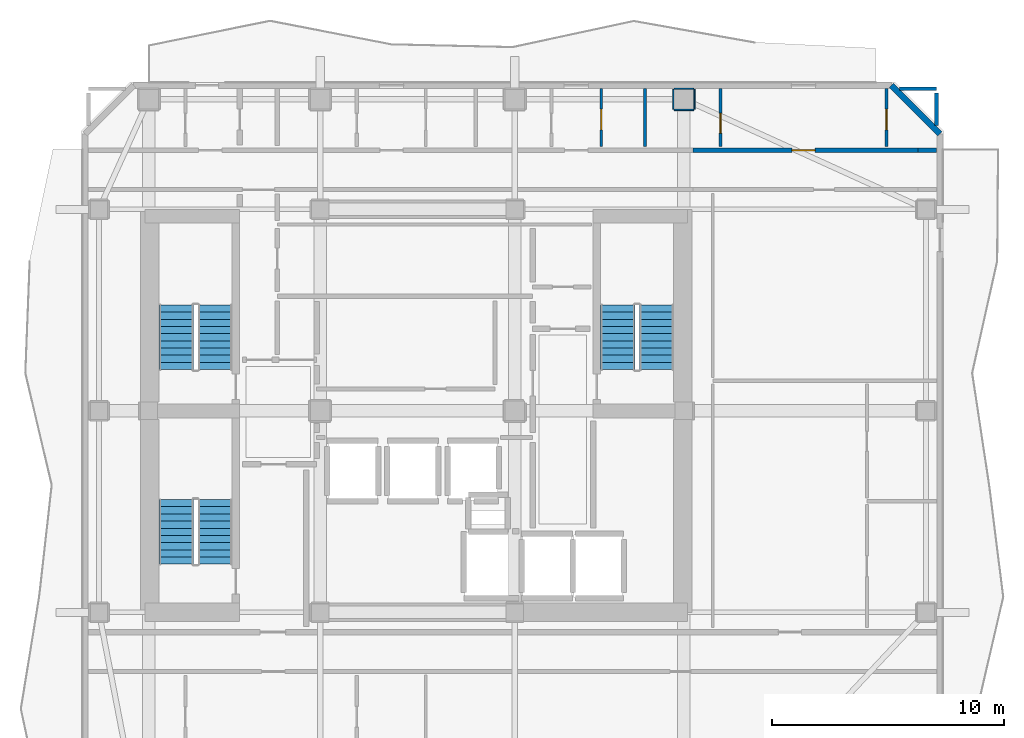
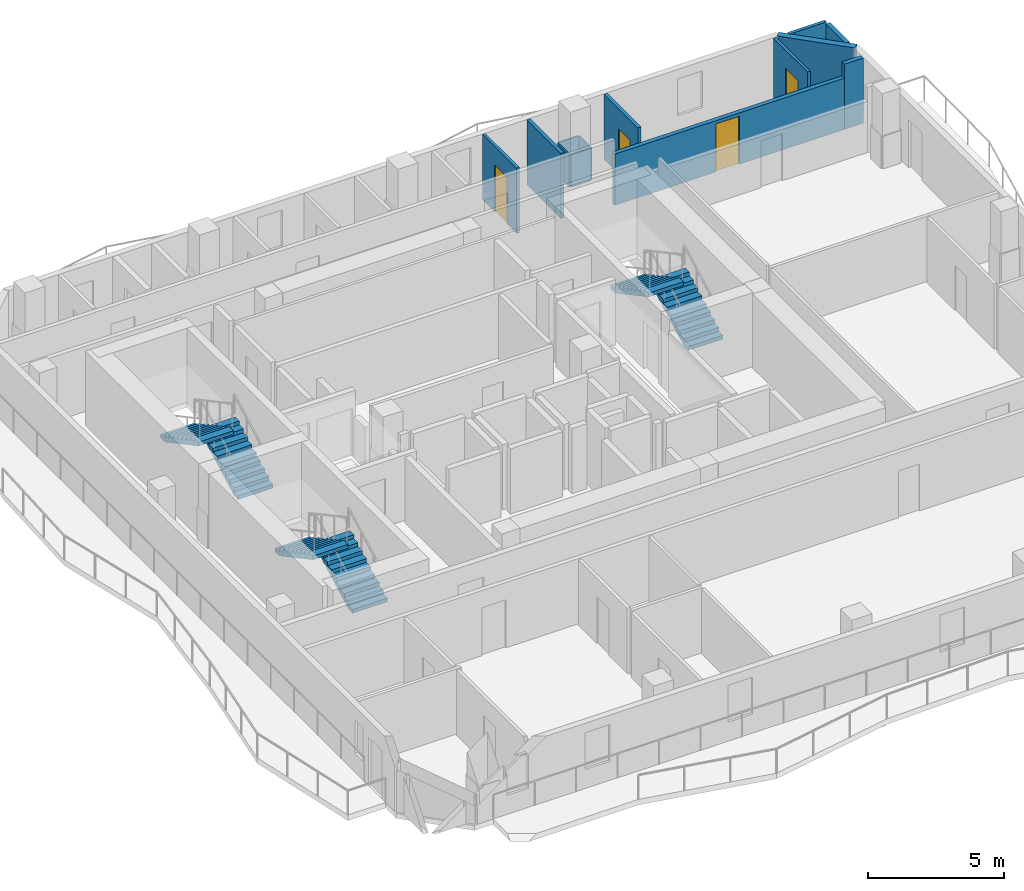
# One storey, part 6 of 9: 13 walls, 6 stair flights, 4 doors, 4 openings, 3 elements without a shape of their own.
"""IFC4 building model written with IfcOpenShell, lengths in metres."""

from ifc_helpers import new_model, si_unit, direction, frame, frame_2d, origin, place, context, subcontext, project, spatial, polyline, rectangle, outline, extrude, material, layer, layer_set, type_object, element, fill, aggregate, save


model = new_model("IFC4")

# Units and contexts
model_context = context("Model", 3, precision=1e-05, world=origin(), true_north=direction((0.0, 1.0)))
body_context = subcontext(model_context, "Body", "Model", "MODEL_VIEW")
ifc_project = project(units=[si_unit("LENGTHUNIT", "METRE"), si_unit("AREAUNIT", "SQUARE_METRE"), si_unit("VOLUMEUNIT", "CUBIC_METRE"), si_unit("PLANEANGLEUNIT", "RADIAN"), si_unit("MASSUNIT", "GRAM", prefix="KILO")], contexts=[model_context])

# Site, building, storey
site_placement = place(None, origin())
site = spatial("IfcSite", under=ifc_project, at=site_placement, CompositionType="ELEMENT")
building_placement = place(site_placement, origin())
building = spatial("IfcBuilding", under=site, at=building_placement, Name="Solanera Arch Residences", CompositionType="ELEMENT")
storey_placement = place(building_placement, frame((0.0, 0.0, 223.360107421875)))
storey = spatial("IfcBuildingStorey", under=building, at=storey_placement, Name="L65", CompositionType="ELEMENT", Elevation=223.360107421875)

# Walls
ifc_material_1 = material(Name="Fire-Rated Gypsum Stud Partition", Category="gypsum")
ifc_layer_1 = layer(ifc_material_1, 0.06005859375)
ifc_layer_set_1 = layer_set([ifc_layer_1], Name="Fire-Rated Gypsum Stud Partition")
wall_type_1 = type_object("IfcWallType", Name="Column Acoustic Furring Wall 60", PredefinedType="PARTITIONING", material=ifc_layer_set_1)
for number, where, z_axis, x_axis, name in (
    (1, (36.074951171875, 43.693115234375, 0.0), (0.0, 0.0, 1.0), (1.0, 0.0, 0.0), "L65 Column Furring 16S"),
    (2, (36.074951171875, 44.60693359375, 0.0), (0.0, 0.0, 1.0), (1.0, 0.0, 0.0), "L65 Column Furring 16N"),
):
    element("IfcWall", number, at=place(storey_placement, frame(where, z_axis=z_axis, x_axis=x_axis)), inside=storey, type_object=wall_type_1, Name=name, PredefinedType="PARTITIONING", context=body_context, shape_type="SweptSolid", body=[
        extrude(rectangle(XDim=0.85009765625, YDim=0.06005859375, at=frame_2d((0.425048828125, 0.0))), origin(), (0.0, 0.0, 1.0), 1.449951171875),
    ])
for number, where, z_axis, x_axis, name in (
    (3, (36.04296875, 43.72509765625, 0.0), (0.0, 0.0, 1.0), (0.0, 1.0, 0.0), "L65 Column Furring 16W"),
    (4, (36.95703125, 43.72509765625, 0.0), (0.0, 0.0, 1.0), (0.0, 1.0, 0.0), "L65 Column Furring 16E"),
):
    element("IfcWall", number, at=place(storey_placement, frame(where, z_axis=z_axis, x_axis=x_axis)), inside=storey, type_object=wall_type_1, Name=name, PredefinedType="PARTITIONING", context=body_context, shape_type="SweptSolid", body=[
        extrude(rectangle(XDim=0.849853515625, YDim=0.06005859375, at=frame_2d((0.4248046875, 0.0))), origin(), (0.0, 0.0, 1.0), 1.449951171875),
    ])

# Wall, opening, door
ifc_material_2 = material(Name="Autoclaved Aerated Concrete Blockwork", Category="masonry")
ifc_layer_2 = layer(ifc_material_2, 0.179931640625)
ifc_layer_set_2 = layer_set([ifc_layer_2], Name="Autoclaved Aerated Concrete Blockwork")
wall_type_2 = type_object("IfcWallType", Name="Corridor Fire Partition 180", PredefinedType="PARTITIONING", material=ifc_layer_set_2)
wall_1_placement = place(storey_placement, frame((36.888916015625, 41.949951171875, 0.0), z_axis=(0.0, 0.0, 1.0), x_axis=(1.0, 0.0, 0.0)))
wall_1 = element("IfcWall", 5, at=wall_1_placement, inside=storey, type_object=wall_type_2, Name="L65 Interior Partition H12 2", PredefinedType="PARTITIONING", context=body_context, shape_type="SweptSolid", body=[
    extrude(rectangle(XDim=9.72216796875, YDim=0.179931640625, at=frame_2d((4.861083984375, 0.0))), origin(), (0.0, 0.0, 1.0), 2.296875),
])
opening_1_placement = place(wall_1_placement, frame((4.27587890625, 0.0, 0.0)))
opening_1 = element("IfcOpeningElement", 6, at=opening_1_placement, cuts=wall_1, Name="Opening DI-01", PredefinedType="OPENING", context=body_context, shape_type="SweptSolid", body=[
    extrude(rectangle(XDim=1.0, YDim=2.14990234375, at=frame_2d((0.5, 1.074951171875))), frame((0.0, 0.10009765625, 0.0), z_axis=(0.0, -1.0, 0.0), x_axis=(1.0, 0.0, 0.0)), (0.0, 0.0, 1.0), 0.1999),
])
ifc_material_3 = material(Name="Fire-Rated Architectural Hardwood", Category="wood")
door_type_1 = type_object("IfcDoorType", Name="Unit Entrance Fire Door DI-01", OperationType="NOTDEFINED", PredefinedType="DOOR", material=ifc_material_3)
door_1_placement = place(opening_1_placement, origin())
door_1 = element("IfcDoor", 7, at=door_1_placement, inside=storey, type_object=door_type_1, Name="DR-L65-IN-029", OperationType="SINGLE_SWING_RIGHT", OverallHeight=2.14990234375, OverallWidth=1.0, PredefinedType="DOOR", context=body_context, shape_type="SweptSolid", body=[
    extrude(rectangle(XDim=1.0, YDim=2.14990234375, at=frame_2d((0.5, 1.074951171875))), frame((0.0, 0.02490234375, 0.0), z_axis=(0.0, -1.0, 0.0), x_axis=(1.0, 0.0, 0.0)), (0.0, 0.0, 1.0), 0.050048828125),
])
fill(opening_1, door_1)

# Walls
wall_2_placement = place(storey_placement, frame((46.611083984375, 41.949951171875, 0.0), z_axis=(0.0, 0.0, 1.0), x_axis=(1.0, 0.0, 0.0)))
element("IfcWall", 8, at=wall_2_placement, inside=storey, type_object=wall_type_2, Name="L65 Interior Partition H12 3", PredefinedType="PARTITIONING", context=body_context, shape_type="SweptSolid", body=[
    extrude(rectangle(XDim=0.802001953125, YDim=0.179931640625, at=frame_2d((0.40087890625, 0.0))), origin(), (0.0, 0.0, 1.0), 2.919921875),
])
wall_3_placement = place(storey_placement, frame((47.39990234375, 43.010986328125, 0.0), z_axis=(0.0, 0.0, 1.0), x_axis=(0.0, 1.0, 0.0)))
element("IfcWall", 9, at=wall_3_placement, inside=storey, type_object=wall_type_2, Name="L65 Interior Partition V12 2", PredefinedType="PARTITIONING", context=body_context, shape_type="SweptSolid", body=[
    extrude(rectangle(XDim=1.4208984375, YDim=0.179931640625, at=frame_2d((0.71044921875, 0.0))), origin(), (0.0, 0.0, 1.0), 2.919921875),
])
ifc_material_4 = material(Name="Precast Concrete C35/45", Category="concrete")
ifc_layer_3 = layer(ifc_material_4, 0.260009765625)
ifc_layer_set_3 = layer_set([ifc_layer_3], Name="Precast Concrete C35/45")
wall_type_3 = type_object("IfcWallType", Name="Exterior Wall Precast Masonry-Frame 260", PredefinedType="STANDARD", material=ifc_layer_set_3)
wall_4_placement = place(storey_placement, frame((45.455078125, 44.7548828125, 0.0), z_axis=(0.0, 0.0, 1.0), x_axis=(0.707106781187, -0.707106781187, 0.0)))
element("IfcWall", 10, at=wall_4_placement, inside=storey, type_object=wall_type_3, Name="L65 Tower Exterior Precast Masonry-Frame Wall CH3", PredefinedType="STANDARD", context=body_context, shape_type="SweptSolid", body=[
    extrude(rectangle(XDim=2.9697265625, YDim=0.260009765625, at=frame_2d((1.48486328125, 0.0))), origin(), (0.0, 0.0, 1.0), 2.919921875),
])

# Wall, opening, door
ifc_material_5 = material(Name="Fire-Rated Gypsum Stud Partition", Category="gypsum")
ifc_layer_4 = layer(ifc_material_5, 0.1201171875)
ifc_layer_set_4 = layer_set([ifc_layer_4], Name="Fire-Rated Gypsum Stud Partition")
wall_type_4 = type_object("IfcWallType", Name="Unit Drywall Partition 120", PredefinedType="PARTITIONING", material=ifc_layer_set_4)
wall_5_placement = place(storey_placement, frame((32.929931640625, 42.10791015625, 0.0), z_axis=(0.0, 0.0, 1.0), x_axis=(0.0, 1.0, 0.0)))
wall_5 = element("IfcWall", 11, at=wall_5_placement, inside=storey, type_object=wall_type_4, Name="L65 Interior Partition V24", PredefinedType="PARTITIONING", context=body_context, shape_type="SweptSolid", body=[
    extrude(rectangle(XDim=2.505126953125, YDim=0.1201171875, at=frame_2d((1.25244140625, 0.0))), origin(), (0.0, 0.0, 1.0), 2.919921875),
])
opening_2_placement = place(wall_5_placement, frame((0.717041015625, 0.0, 0.0)))
opening_2 = element("IfcOpeningElement", 12, at=opening_2_placement, cuts=wall_5, Name="Opening DI-02", PredefinedType="OPENING", context=body_context, shape_type="SweptSolid", body=[
    extrude(rectangle(XDim=0.89990234375, YDim=2.10009765625, at=frame_2d((0.449951171875, 1.050048828125))), frame((0.0, 0.070068359375, 0.0), z_axis=(0.0, -1.0, 0.0), x_axis=(1.0, 0.0, 0.0)), (0.0, 0.0, 1.0), 0.1401),
])
ifc_material_6 = material(Name="Fire-Rated Architectural Hardwood", Category="wood")
door_type_2 = type_object("IfcDoorType", Name="Suite Room Swing Door DI-02", OperationType="NOTDEFINED", PredefinedType="DOOR", material=ifc_material_6)
door_2_placement = place(opening_2_placement, origin())
door_2 = element("IfcDoor", 13, at=door_2_placement, inside=storey, type_object=door_type_2, Name="DR-L65-IN-028", OperationType="SINGLE_SWING_LEFT", OverallHeight=2.10009765625, OverallWidth=0.89990234375, PredefinedType="DOOR", context=body_context, shape_type="SweptSolid", body=[
    extrude(rectangle(XDim=0.89990234375, YDim=2.10009765625, at=frame_2d((0.449951171875, 1.050048828125))), frame((0.0, 0.02490234375, 0.0), z_axis=(0.0, -1.0, 0.0), x_axis=(1.0, 0.0, 0.0)), (0.0, 0.0, 1.0), 0.050048828125),
])
fill(opening_2, door_2)

wall_6_placement = place(storey_placement, frame((45.25, 42.10791015625, 0.0), z_axis=(0.0, 0.0, 1.0), x_axis=(0.0, 1.0, 0.0)))
wall_6 = element("IfcWall", 14, at=wall_6_placement, inside=storey, type_object=wall_type_4, Name="L65 Interior Partition V26", PredefinedType="PARTITIONING", context=body_context, shape_type="SweptSolid", body=[
    extrude(rectangle(XDim=2.505126953125, YDim=0.1201171875, at=frame_2d((1.25244140625, 0.0))), origin(), (0.0, 0.0, 1.0), 2.919921875),
])
opening_3_placement = place(wall_6_placement, frame((0.717041015625, 0.0, 0.0)))
opening_3 = element("IfcOpeningElement", 15, at=opening_3_placement, cuts=wall_6, Name="Opening DI-02", PredefinedType="OPENING", context=body_context, shape_type="SweptSolid", body=[
    extrude(rectangle(XDim=0.89990234375, YDim=2.10009765625, at=frame_2d((0.449951171875, 1.050048828125))), frame((0.0, 0.070068359375, 0.0), z_axis=(0.0, -1.0, 0.0), x_axis=(1.0, 0.0, 0.0)), (0.0, 0.0, 1.0), 0.1401),
])
door_3_placement = place(opening_3_placement, origin())
door_3 = element("IfcDoor", 16, at=door_3_placement, inside=storey, type_object=door_type_2, Name="DR-L65-IN-031", OperationType="SINGLE_SWING_RIGHT", OverallHeight=2.10009765625, OverallWidth=0.89990234375, PredefinedType="DOOR", context=body_context, shape_type="SweptSolid", body=[
    extrude(rectangle(XDim=0.89990234375, YDim=2.10009765625, at=frame_2d((0.449951171875, 1.050048828125))), frame((0.0, 0.02490234375, 0.0), z_axis=(0.0, -1.0, 0.0), x_axis=(1.0, 0.0, 0.0)), (0.0, 0.0, 1.0), 0.050048828125),
])
fill(opening_3, door_3)

# Walls
ifc_material_7 = material(Name="Autoclaved Aerated Concrete Blockwork", Category="masonry")
ifc_layer_5 = layer(ifc_material_7, 0.139892578125)
ifc_layer_set_5 = layer_set([ifc_layer_5], Name="Autoclaved Aerated Concrete Blockwork")
wall_type_5 = type_object("IfcWallType", Name="Wet-Room Partition 140", PredefinedType="PARTITIONING", material=ifc_layer_set_5)
wall_7_placement = place(storey_placement, frame((45.81103515625, 44.60009765625, 0.0), z_axis=(0.0, 0.0, 1.0), x_axis=(1.0, 0.0, 0.0)))
element("IfcWall", 17, at=wall_7_placement, inside=storey, type_object=wall_type_5, Name="L65 Interior Partition H17 2", PredefinedType="PARTITIONING", context=body_context, shape_type="SweptSolid", body=[
    extrude(rectangle(XDim=1.5888671875, YDim=0.139892578125, at=frame_2d((0.79443359375, 0.0))), origin(), (0.0, 0.0, 1.0), 2.919921875),
])
wall_8_placement = place(storey_placement, frame((34.820068359375, 42.117919921875, 0.0), z_axis=(0.0, 0.0, 1.0), x_axis=(0.0, 1.0, 0.0)))
element("IfcWall", 18, at=wall_8_placement, inside=storey, type_object=wall_type_5, Name="L65 Interior Partition V19", PredefinedType="PARTITIONING", context=body_context, shape_type="SweptSolid", body=[
    extrude(rectangle(XDim=2.4951171875, YDim=0.139892578125, at=frame_2d((1.24755859375, 0.0))), origin(), (0.0, 0.0, 1.0), 2.919921875),
])

# Wall, opening, door
wall_9_placement = place(storey_placement, frame((38.080078125, 42.117919921875, 0.0), z_axis=(0.0, 0.0, 1.0), x_axis=(0.0, 1.0, 0.0)))
wall_9 = element("IfcWall", 19, at=wall_9_placement, inside=storey, type_object=wall_type_5, Name="L65 Interior Partition V20", PredefinedType="PARTITIONING", context=body_context, shape_type="SweptSolid", body=[
    extrude(rectangle(XDim=2.4951171875, YDim=0.139892578125, at=frame_2d((1.24755859375, 0.0))), origin(), (0.0, 0.0, 1.0), 2.919921875),
])
opening_4_placement = place(wall_9_placement, frame((0.56689453125, 0.0, 0.0)))
opening_4 = element("IfcOpeningElement", 20, at=opening_4_placement, cuts=wall_9, Name="Opening DI-05", PredefinedType="OPENING", context=body_context, shape_type="SweptSolid", body=[
    extrude(rectangle(XDim=0.860107421875, YDim=2.02001953125, at=frame_2d((0.43017578125, 1.010009765625))), frame((0.0, 0.079833984375, 0.0), z_axis=(0.0, -1.0, 0.0), x_axis=(1.0, 0.0, 0.0)), (0.0, 0.0, 1.0), 0.1599),
])
ifc_material_8 = material(Name="Fire-Rated Architectural Hardwood", Category="wood")
door_type_3 = type_object("IfcDoorType", Name="Bathroom Swing Door DI-05", OperationType="NOTDEFINED", PredefinedType="DOOR", material=ifc_material_8)
door_4_placement = place(opening_4_placement, origin())
door_4 = element("IfcDoor", 21, at=door_4_placement, inside=storey, type_object=door_type_3, Name="DR-L65-IN-030", OperationType="SINGLE_SWING_LEFT", OverallHeight=2.02001953125, OverallWidth=0.860107421875, PredefinedType="DOOR", context=body_context, shape_type="SweptSolid", body=[
    extrude(rectangle(XDim=0.860107421875, YDim=2.02001953125, at=frame_2d((0.43017578125, 1.010009765625))), frame((0.0, 0.02490234375, 0.0), z_axis=(0.0, -1.0, 0.0), x_axis=(1.0, 0.0, 0.0)), (0.0, 0.0, 1.0), 0.050048828125),
])
fill(opening_4, door_4)

# Stair, stair flights
ifc_material_9 = material(Name="Concrete C40/50 (f'c = 45 MPa)", Category="concrete")
stair_type = type_object("IfcStairType", Name="Tower Dogleg Exit Stair 1480", PredefinedType="HALF_TURN_STAIR", material=ifc_material_9)
stair_1_placement = place(storey_placement, origin())
stair_1 = element("IfcStair", 22, at=stair_1_placement, inside=storey, type_object=stair_type, Name="L65 Tower Core Exit Stair 1", PredefinedType="HALF_TURN_STAIR")
ifc_material_10 = material(Name="Concrete C40/50 (f'c = 45 MPa)", Category="concrete")
stair_flight_type = type_object("IfcStairFlightType", Name="Tower Precast Stair Flight 1480", PredefinedType="STRAIGHT", material=ifc_material_10)
stair_flight_1_placement = place(storey_placement, frame((16.260009765625, 32.47998046875, 0.0), z_axis=(0.0, 0.0, 1.0), x_axis=(0.0, 1.0, 0.0)))
stair_flight_1 = element("IfcStairFlight", 23, at=stair_flight_1_placement, type_object=stair_flight_type, Name="ST-T1 flight 1", NumberOfRisers=10, NumberOfTreads=9, PredefinedType="STRAIGHT", RiserHeight=0.166, TreadLength=0.31, context=body_context, shape_type="SweptSolid", body=[
    extrude(outline(polyline([(0.0, 0.0), (0.0, 0.166015625), (0.31005859375, 0.166015625), (0.31005859375, 0.33203125), (0.6201171875, 0.33203125), (0.6201171875, 0.498046875), (0.929931640625, 0.498046875), (0.929931640625, 0.6640625), (1.239990234375, 0.6640625), (1.239990234375, 0.830078125), (1.550048828125, 0.830078125), (1.550048828125, 0.99609375), (1.860107421875, 0.99609375), (1.860107421875, 1.162109375), (2.169921875, 1.162109375), (2.169921875, 1.327880859375), (2.47998046875, 1.327880859375), (2.47998046875, 1.493896484375), (2.7900390625, 1.493896484375), (2.7900390625, 1.659912109375), (2.7900390625, 1.323974609375), (0.317626953125, 0.0), (0.0, 0.0)])), frame((0.0, 0.739990234375, 0.0), z_axis=(0.0, -1.0, 0.0), x_axis=(1.0, 0.0, 0.0)), (0.0, 0.0, 1.0), 1.47998046875),
])
stair_flight_2_placement = place(storey_placement, frame((14.580078125, 35.27001953125, 1.659912109375), z_axis=(0.0, 0.0, 1.0), x_axis=(0.0, -1.0, 0.0)))
stair_flight_2 = element("IfcStairFlight", 24, at=stair_flight_2_placement, type_object=stair_flight_type, Name="ST-T1 flight 2", NumberOfRisers=10, NumberOfTreads=9, PredefinedType="STRAIGHT", RiserHeight=0.166, TreadLength=0.31, context=body_context, shape_type="SweptSolid", body=[
    extrude(outline(polyline([(0.0, 0.0), (0.0, 0.166015625), (0.31005859375, 0.166015625), (0.31005859375, 0.33203125), (0.6201171875, 0.33203125), (0.6201171875, 0.498046875), (0.929931640625, 0.498046875), (0.929931640625, 0.6640625), (1.239990234375, 0.6640625), (1.239990234375, 0.830078125), (1.550048828125, 0.830078125), (1.550048828125, 0.99609375), (1.860107421875, 0.99609375), (1.860107421875, 1.162109375), (2.169921875, 1.162109375), (2.169921875, 1.327880859375), (2.47998046875, 1.327880859375), (2.47998046875, 1.493896484375), (2.7900390625, 1.493896484375), (2.7900390625, 1.659912109375), (2.7900390625, 1.323974609375), (0.317626953125, 0.0), (0.0, 0.0)])), frame((0.0, 0.739990234375, 0.0), z_axis=(0.0, -1.0, 0.0), x_axis=(1.0, 0.0, 0.0)), (0.0, 0.0, 1.0), 1.47998046875),
])
aggregate(stair_1, [stair_flight_1, stair_flight_2])

stair_2_placement = place(storey_placement, origin())
stair_2 = element("IfcStair", 25, at=stair_2_placement, inside=storey, type_object=stair_type, Name="L65 Tower Core Exit Stair 2", PredefinedType="HALF_TURN_STAIR")
stair_flight_3_placement = place(storey_placement, frame((35.320068359375, 32.47998046875, 0.0), z_axis=(0.0, 0.0, 1.0), x_axis=(0.0, 1.0, 0.0)))
stair_flight_3 = element("IfcStairFlight", 26, at=stair_flight_3_placement, type_object=stair_flight_type, Name="ST-T2 flight 1", NumberOfRisers=10, NumberOfTreads=9, PredefinedType="STRAIGHT", RiserHeight=0.166, TreadLength=0.31, context=body_context, shape_type="SweptSolid", body=[
    extrude(outline(polyline([(0.0, 0.0), (0.0, 0.166015625), (0.31005859375, 0.166015625), (0.31005859375, 0.33203125), (0.6201171875, 0.33203125), (0.6201171875, 0.498046875), (0.929931640625, 0.498046875), (0.929931640625, 0.6640625), (1.239990234375, 0.6640625), (1.239990234375, 0.830078125), (1.550048828125, 0.830078125), (1.550048828125, 0.99609375), (1.860107421875, 0.99609375), (1.860107421875, 1.162109375), (2.169921875, 1.162109375), (2.169921875, 1.327880859375), (2.47998046875, 1.327880859375), (2.47998046875, 1.493896484375), (2.7900390625, 1.493896484375), (2.7900390625, 1.659912109375), (2.7900390625, 1.323974609375), (0.317626953125, 0.0), (0.0, 0.0)])), frame((0.0, 0.739990234375, 0.0), z_axis=(0.0, -1.0, 0.0), x_axis=(1.0, 0.0, 0.0)), (0.0, 0.0, 1.0), 1.47998046875),
])
stair_flight_4_placement = place(storey_placement, frame((33.639892578125, 35.27001953125, 1.659912109375), z_axis=(0.0, 0.0, 1.0), x_axis=(0.0, -1.0, 0.0)))
stair_flight_4 = element("IfcStairFlight", 27, at=stair_flight_4_placement, type_object=stair_flight_type, Name="ST-T2 flight 2", NumberOfRisers=10, NumberOfTreads=9, PredefinedType="STRAIGHT", RiserHeight=0.166, TreadLength=0.31, context=body_context, shape_type="SweptSolid", body=[
    extrude(outline(polyline([(0.0, 0.0), (0.0, 0.166015625), (0.31005859375, 0.166015625), (0.31005859375, 0.33203125), (0.6201171875, 0.33203125), (0.6201171875, 0.498046875), (0.929931640625, 0.498046875), (0.929931640625, 0.6640625), (1.239990234375, 0.6640625), (1.239990234375, 0.830078125), (1.550048828125, 0.830078125), (1.550048828125, 0.99609375), (1.860107421875, 0.99609375), (1.860107421875, 1.162109375), (2.169921875, 1.162109375), (2.169921875, 1.327880859375), (2.47998046875, 1.327880859375), (2.47998046875, 1.493896484375), (2.7900390625, 1.493896484375), (2.7900390625, 1.659912109375), (2.7900390625, 1.323974609375), (0.317626953125, 0.0), (0.0, 0.0)])), frame((0.0, 0.739990234375, 0.0), z_axis=(0.0, -1.0, 0.0), x_axis=(1.0, 0.0, 0.0)), (0.0, 0.0, 1.0), 1.47998046875),
])
aggregate(stair_2, [stair_flight_3, stair_flight_4])

stair_3_placement = place(storey_placement, origin())
stair_3 = element("IfcStair", 28, at=stair_3_placement, inside=storey, type_object=stair_type, Name="L65 Tower Core Exit Stair 3", PredefinedType="HALF_TURN_STAIR")
stair_flight_5_placement = place(storey_placement, frame((16.260009765625, 24.080078125, 0.0), z_axis=(0.0, 0.0, 1.0), x_axis=(0.0, 1.0, 0.0)))
stair_flight_5 = element("IfcStairFlight", 29, at=stair_flight_5_placement, type_object=stair_flight_type, Name="ST-T3 flight 1", NumberOfRisers=10, NumberOfTreads=9, PredefinedType="STRAIGHT", RiserHeight=0.166, TreadLength=0.31, context=body_context, shape_type="SweptSolid", body=[
    extrude(outline(polyline([(0.0, 0.0), (0.0, 0.166015625), (0.31005859375, 0.166015625), (0.31005859375, 0.33203125), (0.6201171875, 0.33203125), (0.6201171875, 0.498046875), (0.929931640625, 0.498046875), (0.929931640625, 0.6640625), (1.239990234375, 0.6640625), (1.239990234375, 0.830078125), (1.550048828125, 0.830078125), (1.550048828125, 0.99609375), (1.860107421875, 0.99609375), (1.860107421875, 1.162109375), (2.169921875, 1.162109375), (2.169921875, 1.327880859375), (2.47998046875, 1.327880859375), (2.47998046875, 1.493896484375), (2.7900390625, 1.493896484375), (2.7900390625, 1.659912109375), (2.7900390625, 1.323974609375), (0.317626953125, 0.0), (0.0, 0.0)])), frame((0.0, 0.739990234375, 0.0), z_axis=(0.0, -1.0, 0.0), x_axis=(1.0, 0.0, 0.0)), (0.0, 0.0, 1.0), 1.47998046875),
])
stair_flight_6_placement = place(storey_placement, frame((14.580078125, 26.8701171875, 1.659912109375), z_axis=(0.0, 0.0, 1.0), x_axis=(0.0, -1.0, 0.0)))
stair_flight_6 = element("IfcStairFlight", 30, at=stair_flight_6_placement, type_object=stair_flight_type, Name="ST-T3 flight 2", NumberOfRisers=10, NumberOfTreads=9, PredefinedType="STRAIGHT", RiserHeight=0.166, TreadLength=0.31, context=body_context, shape_type="SweptSolid", body=[
    extrude(outline(polyline([(0.0, 0.0), (0.0, 0.166015625), (0.31005859375, 0.166015625), (0.31005859375, 0.33203125), (0.6201171875, 0.33203125), (0.6201171875, 0.498046875), (0.929931640625, 0.498046875), (0.929931640625, 0.6640625), (1.239990234375, 0.6640625), (1.239990234375, 0.830078125), (1.550048828125, 0.830078125), (1.550048828125, 0.99609375), (1.860107421875, 0.99609375), (1.860107421875, 1.162109375), (2.169921875, 1.162109375), (2.169921875, 1.327880859375), (2.47998046875, 1.327880859375), (2.47998046875, 1.493896484375), (2.7900390625, 1.493896484375), (2.7900390625, 1.659912109375), (2.7900390625, 1.323974609375), (0.317626953125, 0.0), (0.0, 0.0)])), frame((0.0, 0.739990234375, 0.0), z_axis=(0.0, -1.0, 0.0), x_axis=(1.0, 0.0, 0.0)), (0.0, 0.0, 1.0), 1.47998046875),
])
aggregate(stair_3, [stair_flight_5, stair_flight_6])

save(model, "model.ifc")
